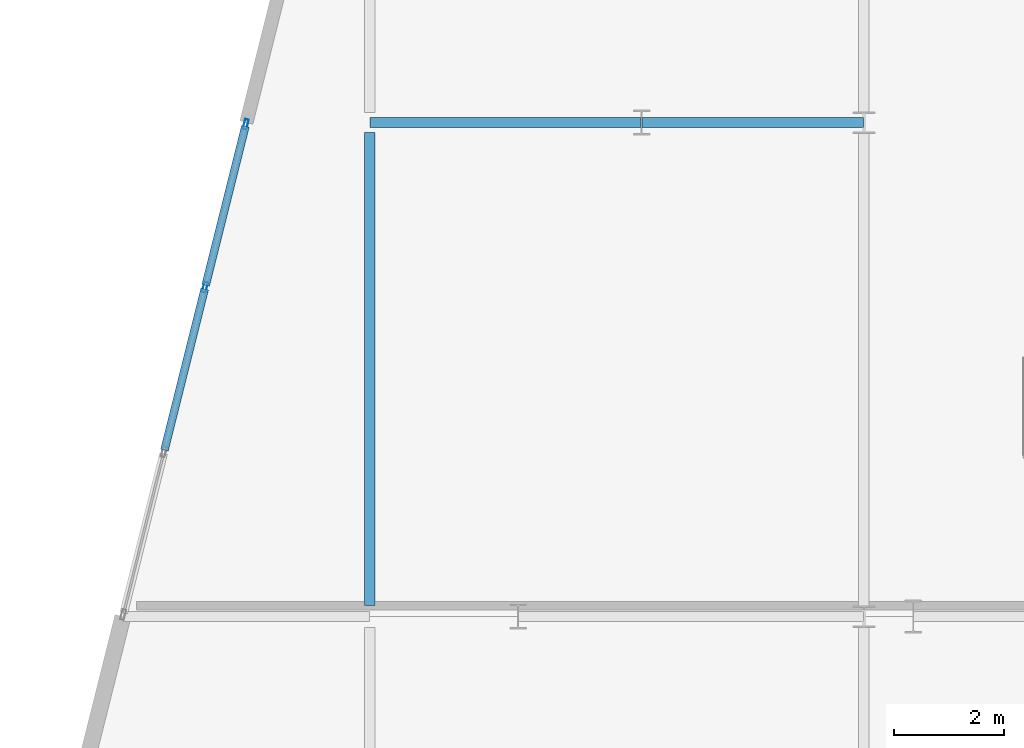
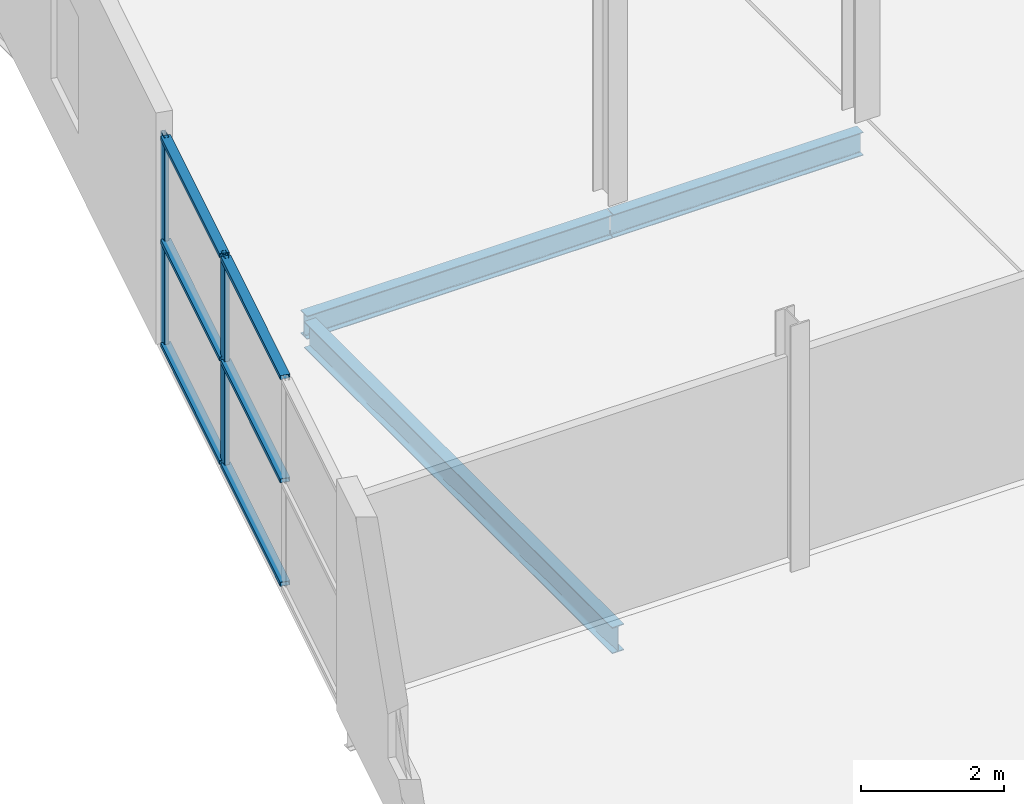
# One storey, part 53 of 88: 8 members, 3 beams, 1 element without a shape of its own.
"""IFC4 building model written with IfcOpenShell, lengths in metres."""

from ifc_helpers import new_model, si_unit, direction, frame, origin, origin_2d, place, context, subcontext, project, spatial, hollow_rectangle, i_section, extrude, material, layer, layer_set, material_profile, profile_set, type_object, element, aggregate, save


model = new_model("IFC4")

# Units and contexts
model_context = context("Model", 3, precision=1e-05, world=origin(), true_north=direction((0.0, 1.0)))
body_context = subcontext(model_context, "Body", "Model", "MODEL_VIEW")
ifc_project = project(units=[si_unit("LENGTHUNIT", "METRE"), si_unit("AREAUNIT", "SQUARE_METRE"), si_unit("VOLUMEUNIT", "CUBIC_METRE"), si_unit("PLANEANGLEUNIT", "RADIAN"), si_unit("MASSUNIT", "GRAM", prefix="KILO")], contexts=[model_context])

# Site, building, storey
site_placement = place(None, origin())
site = spatial("IfcSite", under=ifc_project, at=site_placement, CompositionType="ELEMENT")
building_placement = place(site_placement, origin())
building = spatial("IfcBuilding", under=site, at=building_placement, Name="Deido Ridge Mobility Hub", CompositionType="ELEMENT")
storey_placement = place(building_placement, frame((0.0, 0.0, 16.800048828125)))
storey = spatial("IfcBuildingStorey", under=building, at=storey_placement, Name="L04", CompositionType="ELEMENT", Elevation=16.800048828125)

# Beams
ifc_material_1 = material(Name="Steel S355J2 EN 10025-2", Category="steel")
ifc_material_profile_1 = material_profile(ifc_material_1, i_section(OverallWidth=0.179931640625, OverallDepth=0.39990234375, WebThickness=0.008544921875, FlangeThickness=0.013427734375, FilletRadius=0.02099609375, at=origin_2d()), Name="IPE 400")
ifc_profile_set_1 = profile_set([ifc_material_profile_1], Name="Steel S355J2 EN 10025-2")
beam_type_1 = type_object("IfcBeamType", Name="BM-IPE400", PredefinedType="BEAM", material=ifc_profile_set_1)
beam_1_placement = place(storey_placement, frame((135.006103515625, 45.0, -0.47509765625), z_axis=(1.0, 0.0, 0.0), x_axis=(0.0, 1.0, 0.0)))
element("IfcBeam", 1, at=beam_1_placement, inside=storey, type_object=beam_type_1, Name="Floor beam B5", PredefinedType="BEAM", context=body_context, shape_type="SweptSolid", body=[
    extrude(i_section(OverallWidth=0.179931640625, OverallDepth=0.39990234375, WebThickness=0.008544921875, FlangeThickness=0.013427734375, FilletRadius=0.02099609375, at=origin_2d()), origin(), (0.0, 0.0, 1.0), 4.93701171875),
])
beam_2_placement = place(storey_placement, frame((139.95703125, 45.0, -0.47509765625), z_axis=(1.0, 0.0, 0.0), x_axis=(0.0, 1.0, 0.0)))
element("IfcBeam", 2, at=beam_2_placement, inside=storey, type_object=beam_type_1, Name="Floor beam B5", PredefinedType="BEAM", context=body_context, shape_type="SweptSolid", body=[
    extrude(i_section(OverallWidth=0.179931640625, OverallDepth=0.39990234375, WebThickness=0.008544921875, FlangeThickness=0.013427734375, FilletRadius=0.02099609375, at=origin_2d()), origin(), (0.0, 0.0, 1.0), 4.0341796875),
])
ifc_material_profile_2 = material_profile(ifc_material_1, i_section(OverallWidth=0.18994140625, OverallDepth=0.449951171875, WebThickness=0.009521484375, FlangeThickness=0.0146484375, FilletRadius=0.02099609375, at=origin_2d()), Name="IPE 450")
ifc_profile_set_2 = profile_set([ifc_material_profile_2], Name="Steel S355J2 EN 10025-2")
beam_type_2 = type_object("IfcBeamType", Name="BM-IPE450", PredefinedType="BEAM", material=ifc_profile_set_2)
beam_3_placement = place(storey_placement, frame((135.0, 36.199951171875, -0.5), z_axis=(0.0, 1.0, 0.0), x_axis=(-1.0, 0.0, 0.0)))
element("IfcBeam", 3, at=beam_3_placement, inside=storey, type_object=beam_type_2, Name="Floor beam B4", PredefinedType="BEAM", context=body_context, shape_type="SweptSolid", body=[
    extrude(i_section(OverallWidth=0.18994140625, OverallDepth=0.449951171875, WebThickness=0.009521484375, FlangeThickness=0.0146484375, FilletRadius=0.02099609375, at=origin_2d()), origin(), (0.0, 0.0, 1.0), 8.6201171875),
])

# Curtain wall, members
ifc_material_2 = material(Name="Anodised aluminium EN AW-6063 T6", Category="aluminium")
ifc_layer = layer(ifc_material_2, 0.239990234375, Name="Anodised aluminium EN AW-6063 T6")
ifc_layer_set = layer_set([ifc_layer], Name="Anodised aluminium EN AW-6063 T6")
curtain_wall_type = type_object("IfcCurtainWallType", Name="CW-UF-6", PredefinedType="USERDEFINED", material=ifc_layer_set)
curtain_wall_placement = place(storey_placement, origin())
curtain_wall = element("IfcCurtainWall", 4, at=curtain_wall_placement, inside=storey, type_object=curtain_wall_type, Name="Unitised curtain wall CW6", ObjectType="UNITISED FACADE", PredefinedType="USERDEFINED")
ifc_material_profile_3 = material_profile(ifc_material_2, hollow_rectangle(XDim=0.070068359375, YDim=0.18994140625, WallThickness=0.00390625, at=origin_2d()), Name="RHS 70x190x4")
ifc_profile_set_3 = profile_set([ifc_material_profile_3], Name="Anodised aluminium EN AW-6063 T6")
member_type_1 = type_object("IfcMemberType", Name="MEM-MUL-70X190", PredefinedType="MULLION", material=ifc_profile_set_3)
member_1_placement = place(storey_placement, frame((132.0, 42.0, 0.0), z_axis=(0.0, 0.0, 1.0), x_axis=(-0.970142500145, 0.242535625038, 0.0)))
member_1 = element("IfcMember", 5, at=member_1_placement, type_object=member_type_1, Name="CW6 mullion 3", PredefinedType="MULLION", context=body_context, shape_type="SweptSolid", body=[
    extrude(hollow_rectangle(XDim=0.070068359375, YDim=0.18994140625, WallThickness=0.00390625, at=origin_2d()), origin(), (0.0, 0.0, 1.0), 3.599853515625),
])
member_2_placement = place(storey_placement, frame((132.741455078125, 44.966064453125, 0.0), z_axis=(0.0, 0.0, 1.0), x_axis=(-0.970142500145, 0.242535625038, 0.0)))
member_2 = element("IfcMember", 6, at=member_2_placement, type_object=member_type_1, Name="CW6 mullion 4", PredefinedType="MULLION", context=body_context, shape_type="SweptSolid", body=[
    extrude(hollow_rectangle(XDim=0.070068359375, YDim=0.18994140625, WallThickness=0.00390625, at=origin_2d()), origin(), (0.0, 0.0, 1.0), 3.599853515625),
])
ifc_material_profile_4 = material_profile(ifc_material_2, hollow_rectangle(XDim=0.14501953125, YDim=0.070068359375, WallThickness=0.00390625, at=origin_2d()), Name="RHS 145x70x4")
ifc_profile_set_4 = profile_set([ifc_material_profile_4], Name="Anodised aluminium EN AW-6063 T6")
member_type_2 = type_object("IfcMemberType", Name="MEM-TRN-145X70", PredefinedType="USERDEFINED", material=ifc_profile_set_4)
member_3_placement = place(storey_placement, frame((131.258544921875, 39.033935546875, 0.034912109375), z_axis=(0.242497611351, 0.970152002775, 0.0), x_axis=(-0.970152002775, 0.242497611351, 0.0)))
member_3 = element("IfcMember", 7, at=member_3_placement, type_object=member_type_2, Name="CW6 transom 2.1", ObjectType="TRANSOM", PredefinedType="USERDEFINED", context=body_context, shape_type="SweptSolid", body=[
    extrude(hollow_rectangle(XDim=0.14501953125, YDim=0.070068359375, WallThickness=0.00390625, at=origin_2d()), origin(), (0.0, 0.0, 1.0), 3.0224609375),
])
member_4_placement = place(storey_placement, frame((131.258544921875, 39.033935546875, 1.800048828125), z_axis=(0.242497611351, 0.970152002775, 0.0), x_axis=(-0.970152002775, 0.242497611351, 0.0)))
member_4 = element("IfcMember", 8, at=member_4_placement, type_object=member_type_2, Name="CW6 transom 2.2", ObjectType="TRANSOM", PredefinedType="USERDEFINED", context=body_context, shape_type="SweptSolid", body=[
    extrude(hollow_rectangle(XDim=0.14501953125, YDim=0.070068359375, WallThickness=0.00390625, at=origin_2d()), origin(), (0.0, 0.0, 1.0), 3.0224609375),
])
member_5_placement = place(storey_placement, frame((131.258544921875, 39.033935546875, 3.56494140625), z_axis=(0.242497611351, 0.970152002775, 0.0), x_axis=(-0.970152002775, 0.242497611351, 0.0)))
member_5 = element("IfcMember", 9, at=member_5_placement, type_object=member_type_2, Name="CW6 transom 2.3", ObjectType="TRANSOM", PredefinedType="USERDEFINED", context=body_context, shape_type="SweptSolid", body=[
    extrude(hollow_rectangle(XDim=0.14501953125, YDim=0.070068359375, WallThickness=0.00390625, at=origin_2d()), origin(), (0.0, 0.0, 1.0), 3.0224609375),
])
member_6_placement = place(storey_placement, frame((132.008544921875, 42.033935546875, 0.034912109375), z_axis=(0.242477936405, 0.970156920481, 0.0), x_axis=(-0.970156920481, 0.242477936405, 0.0)))
member_6 = element("IfcMember", 10, at=member_6_placement, type_object=member_type_2, Name="CW6 transom 3.1", ObjectType="TRANSOM", PredefinedType="USERDEFINED", context=body_context, shape_type="SweptSolid", body=[
    extrude(hollow_rectangle(XDim=0.14501953125, YDim=0.070068359375, WallThickness=0.00390625, at=origin_2d()), origin(), (0.0, 0.0, 1.0), 2.9873046875),
])
member_7_placement = place(storey_placement, frame((132.008544921875, 42.033935546875, 1.800048828125), z_axis=(0.242477936405, 0.970156920481, 0.0), x_axis=(-0.970156920481, 0.242477936405, 0.0)))
member_7 = element("IfcMember", 11, at=member_7_placement, type_object=member_type_2, Name="CW6 transom 3.2", ObjectType="TRANSOM", PredefinedType="USERDEFINED", context=body_context, shape_type="SweptSolid", body=[
    extrude(hollow_rectangle(XDim=0.14501953125, YDim=0.070068359375, WallThickness=0.00390625, at=origin_2d()), origin(), (0.0, 0.0, 1.0), 2.9873046875),
])
member_8_placement = place(storey_placement, frame((132.008544921875, 42.033935546875, 3.56494140625), z_axis=(0.242477936405, 0.970156920481, 0.0), x_axis=(-0.970156920481, 0.242477936405, 0.0)))
member_8 = element("IfcMember", 12, at=member_8_placement, type_object=member_type_2, Name="CW6 transom 3.3", ObjectType="TRANSOM", PredefinedType="USERDEFINED", context=body_context, shape_type="SweptSolid", body=[
    extrude(hollow_rectangle(XDim=0.14501953125, YDim=0.070068359375, WallThickness=0.00390625, at=origin_2d()), origin(), (0.0, 0.0, 1.0), 2.9873046875),
])
aggregate(curtain_wall, [member_1, member_2, member_3, member_4, member_5, member_6, member_7, member_8])

save(model, "model.ifc")
